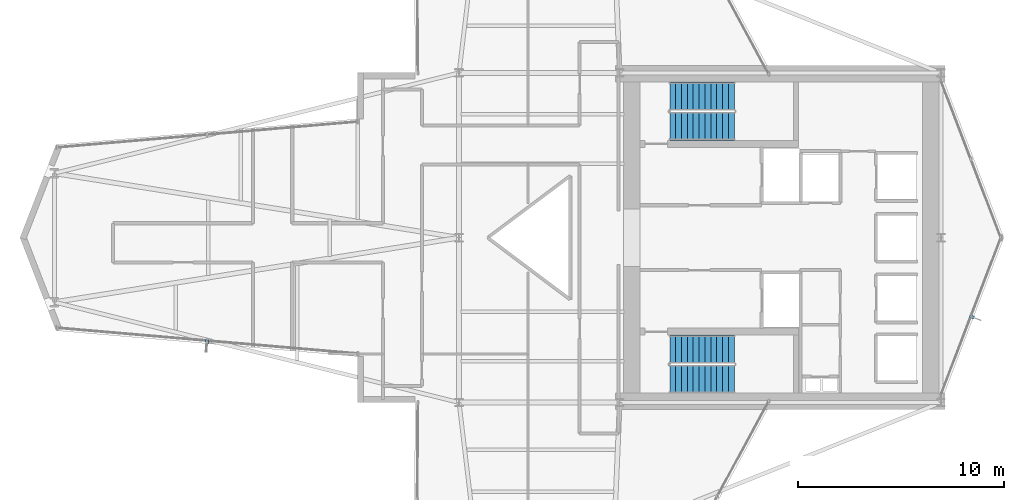
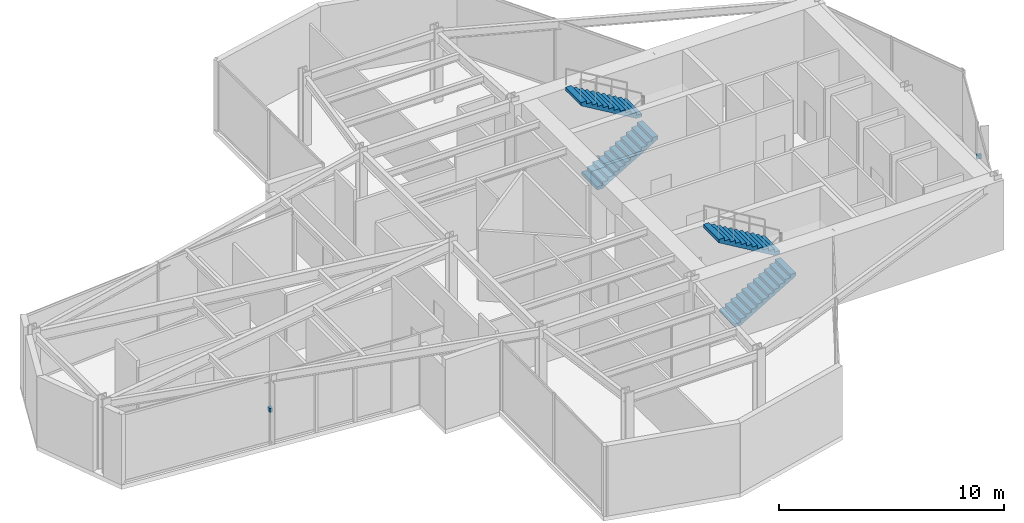
# One storey, part 25 of 26: 4 stair flights, 2 discrete accessories, 2 elements without a shape of their own.
"""IFC4 building model written with IfcOpenShell, lengths in metres."""

from ifc_helpers import new_model, si_unit, direction, frame, origin, origin_2d, place, context, subcontext, project, spatial, polyline, rectangle, outline, extrude, material, layer, layer_set, type_object, element, aggregate, save


model = new_model("IFC4")

# Units and contexts
model_context = context("Model", 3, precision=1e-05, world=origin(), true_north=direction((0.0, 1.0)))
body_context = subcontext(model_context, "Body", "Model", "MODEL_VIEW")
ifc_project = project(units=[si_unit("LENGTHUNIT", "METRE"), si_unit("AREAUNIT", "SQUARE_METRE"), si_unit("VOLUMEUNIT", "CUBIC_METRE"), si_unit("PLANEANGLEUNIT", "RADIAN"), si_unit("MASSUNIT", "GRAM", prefix="KILO")], contexts=[model_context])

# Site, building, storey
site_placement = place(None, origin())
site = spatial("IfcSite", under=ifc_project, at=site_placement, CompositionType="ELEMENT")
building_placement = place(site_placement, origin())
building = spatial("IfcBuilding", under=site, at=building_placement, Name="Veymaron Broadcast Tower", CompositionType="ELEMENT")
storey_placement = place(building_placement, frame((0.0, 0.0, 153.300048828125)))
storey = spatial("IfcBuildingStorey", under=building, at=storey_placement, Name="L35", CompositionType="ELEMENT", Elevation=153.300048828125)

# Stair, stair flights
ifc_material_1 = material(Name="Concrete C50/60", Category="concrete")
stair_type_1 = type_object("IfcStairType", Name="STAIR-CORE-1", PredefinedType="HALF_TURN_STAIR", material=ifc_material_1)
stair_1_placement = place(storey_placement, origin())
stair_1 = element("IfcStair", 1, at=stair_1_placement, inside=storey, type_object=stair_type_1, Name="L35 North protected dog-leg exit stair ST1", PredefinedType="HALF_TURN_STAIR")
ifc_material_2 = material(Name="Precast concrete C50/60", Category="concrete")
stair_flight_type = type_object("IfcStairFlightType", Name="FLT-CORE-RC", PredefinedType="STRAIGHT", material=ifc_material_2)
stair_flight_1_placement = place(storey_placement, frame((41.429931640625, 29.419921875, 0.0), z_axis=(0.0, 0.0, 1.0), x_axis=(1.0, 0.0, 0.0)))
stair_flight_1 = element("IfcStairFlight", 2, at=stair_flight_1_placement, type_object=stair_flight_type, Name="ST1 flight 1", NumberOfRisers=12, NumberOfTreads=11, PredefinedType="STRAIGHT", RiserHeight=0.16875, TreadLength=0.285, context=body_context, shape_type="SweptSolid", body=[
    extrude(outline(polyline([(0.0, 0.0), (0.0, 0.168701171875), (0.284912109375, 0.168701171875), (0.284912109375, 0.33740234375), (0.570068359375, 0.33740234375), (0.570068359375, 0.50634765625), (0.85498046875, 0.50634765625), (0.85498046875, 0.675048828125), (1.139892578125, 0.675048828125), (1.139892578125, 0.84375), (1.425048828125, 0.84375), (1.425048828125, 1.012451171875), (1.7099609375, 1.012451171875), (1.7099609375, 1.18115234375), (1.9951171875, 1.18115234375), (1.9951171875, 1.35009765625), (2.280029296875, 1.35009765625), (2.280029296875, 1.518798828125), (2.56494140625, 1.518798828125), (2.56494140625, 1.6875), (2.85009765625, 1.6875), (2.85009765625, 1.856201171875), (3.135009765625, 1.856201171875), (3.135009765625, 2.02490234375), (3.135009765625, 1.68212890625), (0.294189453125, 0.0), (0.0, 0.0)])), frame((0.0, 0.68994140625, 0.0), z_axis=(0.0, -1.0, 0.0), x_axis=(1.0, 0.0, 0.0)), (0.0, 0.0, 1.0), 1.3798828125),
])
stair_flight_2_placement = place(storey_placement, frame((44.56494140625, 30.860107421875, 2.02490234375), z_axis=(0.0, 0.0, 1.0), x_axis=(-1.0, 0.0, 0.0)))
stair_flight_2 = element("IfcStairFlight", 3, at=stair_flight_2_placement, type_object=stair_flight_type, Name="ST1 flight 2", NumberOfRisers=12, NumberOfTreads=11, PredefinedType="STRAIGHT", RiserHeight=0.16875, TreadLength=0.285, context=body_context, shape_type="SweptSolid", body=[
    extrude(outline(polyline([(0.0, 0.0), (0.0, 0.168701171875), (0.284912109375, 0.168701171875), (0.284912109375, 0.33740234375), (0.570068359375, 0.33740234375), (0.570068359375, 0.50634765625), (0.85498046875, 0.50634765625), (0.85498046875, 0.675048828125), (1.139892578125, 0.675048828125), (1.139892578125, 0.84375), (1.425048828125, 0.84375), (1.425048828125, 1.012451171875), (1.7099609375, 1.012451171875), (1.7099609375, 1.18115234375), (1.9951171875, 1.18115234375), (1.9951171875, 1.35009765625), (2.280029296875, 1.35009765625), (2.280029296875, 1.518798828125), (2.56494140625, 1.518798828125), (2.56494140625, 1.6875), (2.85009765625, 1.6875), (2.85009765625, 1.856201171875), (3.135009765625, 1.856201171875), (3.135009765625, 2.02490234375), (3.135009765625, 1.68212890625), (0.294189453125, 0.0), (0.0, 0.0)])), frame((0.0, 0.68994140625, 0.0), z_axis=(0.0, -1.0, 0.0), x_axis=(1.0, 0.0, 0.0)), (0.0, 0.0, 1.0), 1.3798828125),
])
aggregate(stair_1, [stair_flight_1, stair_flight_2])

stair_type_2 = type_object("IfcStairType", Name="STAIR-CORE-2", PredefinedType="HALF_TURN_STAIR", material=ifc_material_1)
stair_2_placement = place(storey_placement, origin())
stair_2 = element("IfcStair", 4, at=stair_2_placement, inside=storey, type_object=stair_type_2, Name="L35 South protected dog-leg exit stair ST2", PredefinedType="HALF_TURN_STAIR")
stair_flight_3_placement = place(storey_placement, frame((41.429931640625, 17.139892578125, 0.0), z_axis=(0.0, 0.0, 1.0), x_axis=(1.0, 0.0, 0.0)))
stair_flight_3 = element("IfcStairFlight", 5, at=stair_flight_3_placement, type_object=stair_flight_type, Name="ST2 flight 1", NumberOfRisers=12, NumberOfTreads=11, PredefinedType="STRAIGHT", RiserHeight=0.16875, TreadLength=0.285, context=body_context, shape_type="SweptSolid", body=[
    extrude(outline(polyline([(0.0, 0.0), (0.0, 0.168701171875), (0.284912109375, 0.168701171875), (0.284912109375, 0.33740234375), (0.570068359375, 0.33740234375), (0.570068359375, 0.50634765625), (0.85498046875, 0.50634765625), (0.85498046875, 0.675048828125), (1.139892578125, 0.675048828125), (1.139892578125, 0.84375), (1.425048828125, 0.84375), (1.425048828125, 1.012451171875), (1.7099609375, 1.012451171875), (1.7099609375, 1.18115234375), (1.9951171875, 1.18115234375), (1.9951171875, 1.35009765625), (2.280029296875, 1.35009765625), (2.280029296875, 1.518798828125), (2.56494140625, 1.518798828125), (2.56494140625, 1.6875), (2.85009765625, 1.6875), (2.85009765625, 1.856201171875), (3.135009765625, 1.856201171875), (3.135009765625, 2.02490234375), (3.135009765625, 1.68212890625), (0.294189453125, 0.0), (0.0, 0.0)])), frame((0.0, 0.68994140625, 0.0), z_axis=(0.0, -1.0, 0.0), x_axis=(1.0, 0.0, 0.0)), (0.0, 0.0, 1.0), 1.3798828125),
])
stair_flight_4_placement = place(storey_placement, frame((44.56494140625, 18.580078125, 2.02490234375), z_axis=(0.0, 0.0, 1.0), x_axis=(-1.0, 0.0, 0.0)))
stair_flight_4 = element("IfcStairFlight", 6, at=stair_flight_4_placement, type_object=stair_flight_type, Name="ST2 flight 2", NumberOfRisers=12, NumberOfTreads=11, PredefinedType="STRAIGHT", RiserHeight=0.16875, TreadLength=0.285, context=body_context, shape_type="SweptSolid", body=[
    extrude(outline(polyline([(0.0, 0.0), (0.0, 0.168701171875), (0.284912109375, 0.168701171875), (0.284912109375, 0.33740234375), (0.570068359375, 0.33740234375), (0.570068359375, 0.50634765625), (0.85498046875, 0.50634765625), (0.85498046875, 0.675048828125), (1.139892578125, 0.675048828125), (1.139892578125, 0.84375), (1.425048828125, 0.84375), (1.425048828125, 1.012451171875), (1.7099609375, 1.012451171875), (1.7099609375, 1.18115234375), (1.9951171875, 1.18115234375), (1.9951171875, 1.35009765625), (2.280029296875, 1.35009765625), (2.280029296875, 1.518798828125), (2.56494140625, 1.518798828125), (2.56494140625, 1.6875), (2.85009765625, 1.6875), (2.85009765625, 1.856201171875), (3.135009765625, 1.856201171875), (3.135009765625, 2.02490234375), (3.135009765625, 1.68212890625), (0.294189453125, 0.0), (0.0, 0.0)])), frame((0.0, 0.68994140625, 0.0), z_axis=(0.0, -1.0, 0.0), x_axis=(1.0, 0.0, 0.0)), (0.0, 0.0, 1.0), 1.3798828125),
])
aggregate(stair_2, [stair_flight_3, stair_flight_4])

# Discrete accessories
ifc_material_3 = material(Name="Austenitic stainless steel AISI 316L", Category="steel")
ifc_layer = layer(ifc_material_3, 0.1201171875)
ifc_layer_set = layer_set([ifc_layer], Name="Austenitic stainless steel AISI 316L")
discrete_accessory_type = type_object("IfcDiscreteAccessoryType", Name="ACC-BRKT-SS1", PredefinedType="BRACKET", material=ifc_layer_set)
for number, where, z_axis, x_axis, name in (
    (7, (56.10205078125, 20.154541015625, 1.794921875), (0.0, 0.0, 1.0), (0.934098586906, -0.35701516766, 0.0), "CW-L35-E2-1 fin bracket 1"),
    (8, (18.962158203125, 18.936279296875, 1.794921875), (0.0, 0.0, 1.0), (-0.085451702097, -0.996342313971, 0.0), "CW-L35-E14-1 fin bracket 1"),
):
    element("IfcDiscreteAccessory", number, at=place(storey_placement, frame(where, z_axis=z_axis, x_axis=x_axis)), inside=storey, type_object=discrete_accessory_type, Name=name, PredefinedType="BRACKET", context=body_context, shape_type="SweptSolid", body=[
        extrude(rectangle(XDim=0.219970703125, YDim=0.139892578125, at=origin_2d()), origin(), (0.0, 0.0, 1.0), 0.219970703125),
    ])

save(model, "model.ifc")
